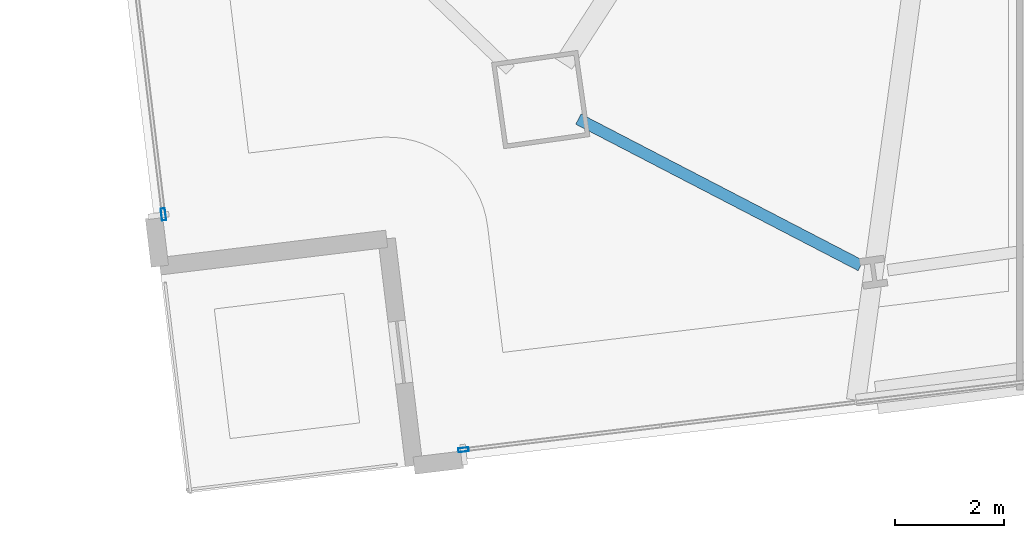
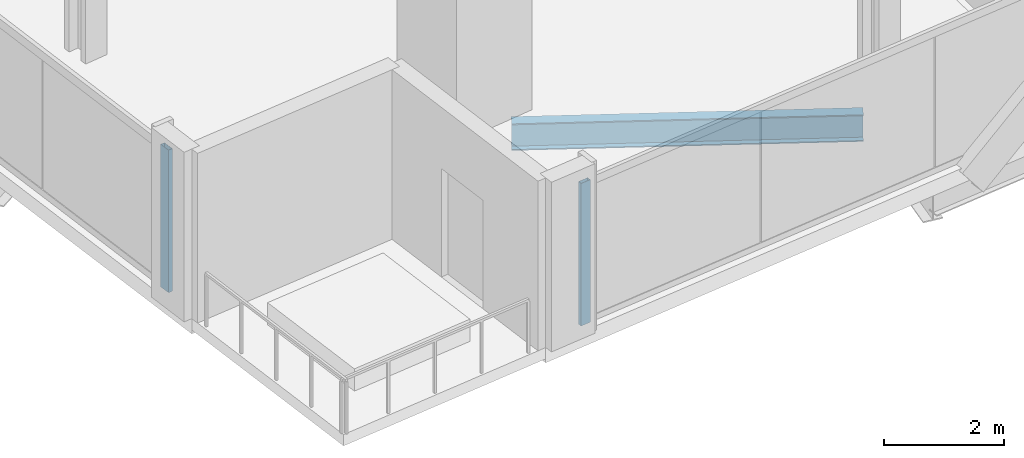
# One storey, part 2 of 33: 2 members, 1 beam, 2 elements without a shape of their own.
"""IFC4 building model written with IfcOpenShell, lengths in metres."""

from ifc_helpers import new_model, si_unit, direction, frame, origin, origin_2d, place, context, subcontext, project, spatial, hollow_rectangle, i_section, extrude, material, material_profile, profile_set, type_object, element, aggregate, save


model = new_model("IFC4")

# Units and contexts
model_context = context("Model", 3, precision=1e-05, world=origin(), true_north=direction((0.0, 1.0)))
body_context = subcontext(model_context, "Body", "Model", "MODEL_VIEW")
ifc_project = project(units=[si_unit("LENGTHUNIT", "METRE"), si_unit("AREAUNIT", "SQUARE_METRE"), si_unit("VOLUMEUNIT", "CUBIC_METRE"), si_unit("PLANEANGLEUNIT", "RADIAN"), si_unit("MASSUNIT", "GRAM", prefix="KILO")], contexts=[model_context])

# Site, building, storey
site_placement = place(None, origin())
site = spatial("IfcSite", under=ifc_project, at=site_placement, CompositionType="ELEMENT")
building_placement = place(site_placement, origin())
building = spatial("IfcBuilding", under=site, at=building_placement, Name="Haldenkirk Collegiate Tower", CompositionType="ELEMENT")
storey_placement = place(building_placement, frame((0.0, 0.0, 51.449951171875)))
storey = spatial("IfcBuildingStorey", under=building, at=storey_placement, Name="L11", CompositionType="ELEMENT", Elevation=51.449951171875)

# Beam
ifc_material_1 = material(Name="Steel ASTM A992 Grade 50", Category="steel")
ifc_material_profile_1 = material_profile(ifc_material_1, i_section(OverallWidth=0.2119140625, OverallDepth=0.5439453125, WebThickness=0.01318359375, FlangeThickness=0.021240234375, at=origin_2d()), Name="W21X83")
ifc_profile_set_1 = profile_set([ifc_material_profile_1], Name="Steel ASTM A992 Grade 50")
beam_type = type_object("IfcBeamType", Name="BM-SPANDREL-W21X83", PredefinedType="SPANDREL", material=ifc_profile_set_1)
beam_placement = place(storey_placement, frame((19.388671875, 4.8125, -0.58203125), z_axis=(0.887640153988, -0.460537682528, 0.0), x_axis=(0.460537682528, 0.887640153988, 0.0)))
element("IfcBeam", 1, at=beam_placement, inside=storey, type_object=beam_type, Name="L11 perimeter spandrel beam 01", PredefinedType="SPANDREL", context=body_context, shape_type="SweptSolid", body=[
    extrude(i_section(OverallWidth=0.2119140625, OverallDepth=0.5439453125, WebThickness=0.01318359375, FlangeThickness=0.021240234375, at=origin_2d()), origin(), (0.0, 0.0, 1.0), 5.848876953125),
])

# Curtain wall, member
ifc_material_2 = material(Name="Anodised architectural bronze aluminium", Category="aluminium")
curtain_wall_type_1 = type_object("IfcCurtainWallType", Name="CW-SYS2-CONCAVE", PredefinedType="USERDEFINED", material=ifc_material_2)
curtain_wall_1_placement = place(storey_placement, origin())
curtain_wall_1 = element("IfcCurtainWall", 2, at=curtain_wall_1_placement, inside=storey, type_object=curtain_wall_type_1, Name="L11 South concave recessed bronze-anodised curtain wall", ObjectType="UNITISED CURTAIN WALL", PredefinedType="USERDEFINED")
ifc_material_profile_2 = material_profile(ifc_material_2, hollow_rectangle(XDim=0.074951171875, YDim=0.18994140625, WallThickness=0.0048828125, at=origin_2d()), Name="CW-MUL-02")
ifc_profile_set_2 = profile_set([ifc_material_profile_2], Name="Anodised architectural bronze aluminium")
member_type_1 = type_object("IfcMemberType", Name="CW-MUL-02", PredefinedType="MULLION", material=ifc_profile_set_2)
member_1_placement = place(storey_placement, frame((17.27783203125, -1.266845703125, 0.0), z_axis=(0.0, 0.0, 1.0), x_axis=(0.120139429238, -0.992757028453, 0.0)))
member_1 = element("IfcMember", 3, at=member_1_placement, type_object=member_type_1, Name="CW-02 mullion 5", PredefinedType="MULLION", context=body_context, shape_type="SweptSolid", body=[
    extrude(hollow_rectangle(XDim=0.074951171875, YDim=0.18994140625, WallThickness=0.0048828125, at=origin_2d()), origin(), (0.0, 0.0, 1.0), 2.89111328125),
])
aggregate(curtain_wall_1, [member_1])

curtain_wall_type_2 = type_object("IfcCurtainWallType", Name="CW-SYS1-CONVEX-LOW", PredefinedType="USERDEFINED", material=ifc_material_2)
curtain_wall_2_placement = place(storey_placement, origin())
curtain_wall_2 = element("IfcCurtainWall", 4, at=curtain_wall_2_placement, inside=storey, type_object=curtain_wall_type_2, Name="L11 Lower tower convex bronze-framed unitised curtain wall", ObjectType="UNITISED CURTAIN WALL", PredefinedType="USERDEFINED")
ifc_material_profile_3 = material_profile(ifc_material_2, hollow_rectangle(XDim=0.080078125, YDim=0.219970703125, WallThickness=0.0048828125, at=origin_2d()), Name="CW-MUL-1A")
ifc_profile_set_3 = profile_set([ifc_material_profile_3], Name="Anodised architectural bronze aluminium")
member_type_2 = type_object("IfcMemberType", Name="CW-MUL-1A", PredefinedType="MULLION", material=ifc_profile_set_3)
member_2_placement = place(storey_placement, frame((11.76025390625, 3.061767578125, 0.0), z_axis=(0.0, 0.0, 1.0), x_axis=(-0.992757257091, -0.120137539898, 0.0)))
member_2 = element("IfcMember", 5, at=member_2_placement, type_object=member_type_2, Name="CW-1A mullion 1", PredefinedType="MULLION", context=body_context, shape_type="SweptSolid", body=[
    extrude(hollow_rectangle(XDim=0.080078125, YDim=0.219970703125, WallThickness=0.0048828125, at=origin_2d()), origin(), (0.0, 0.0, 1.0), 2.89111328125),
])
aggregate(curtain_wall_2, [member_2])

save(model, "model.ifc")
